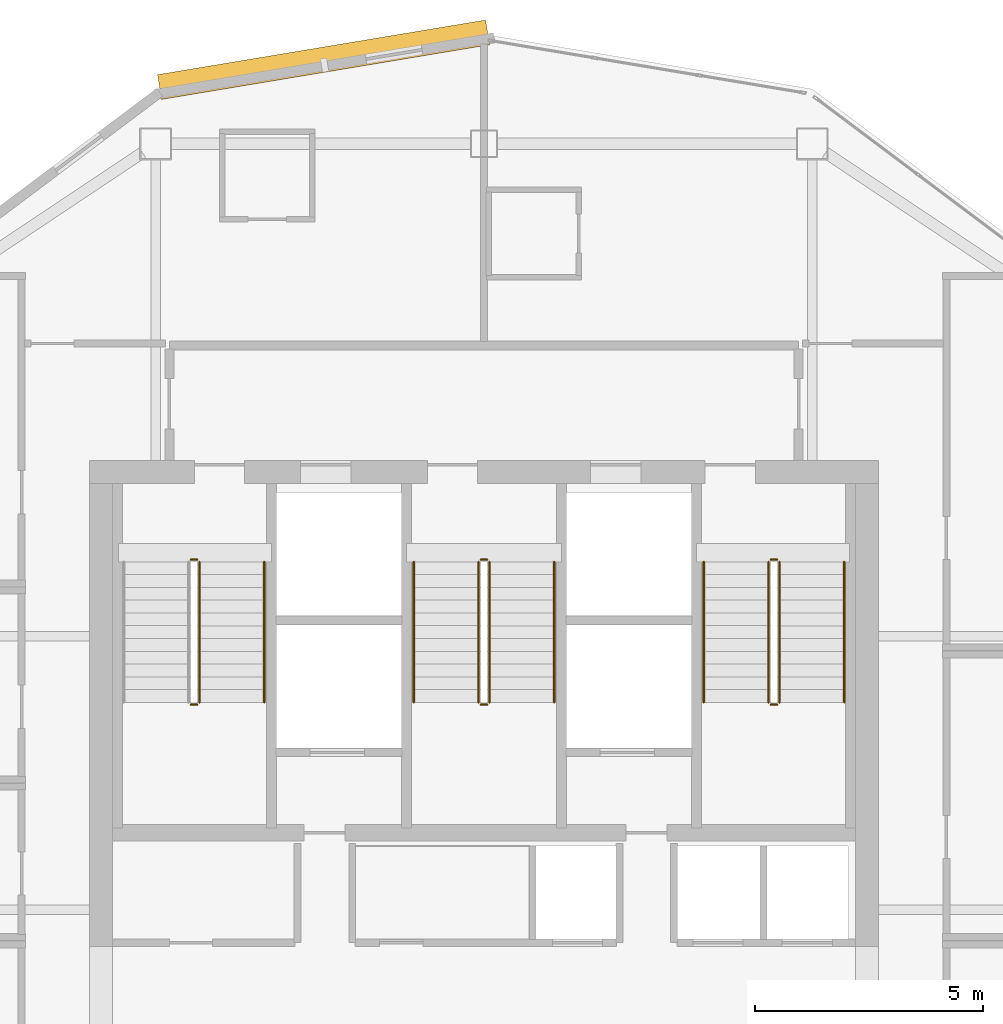
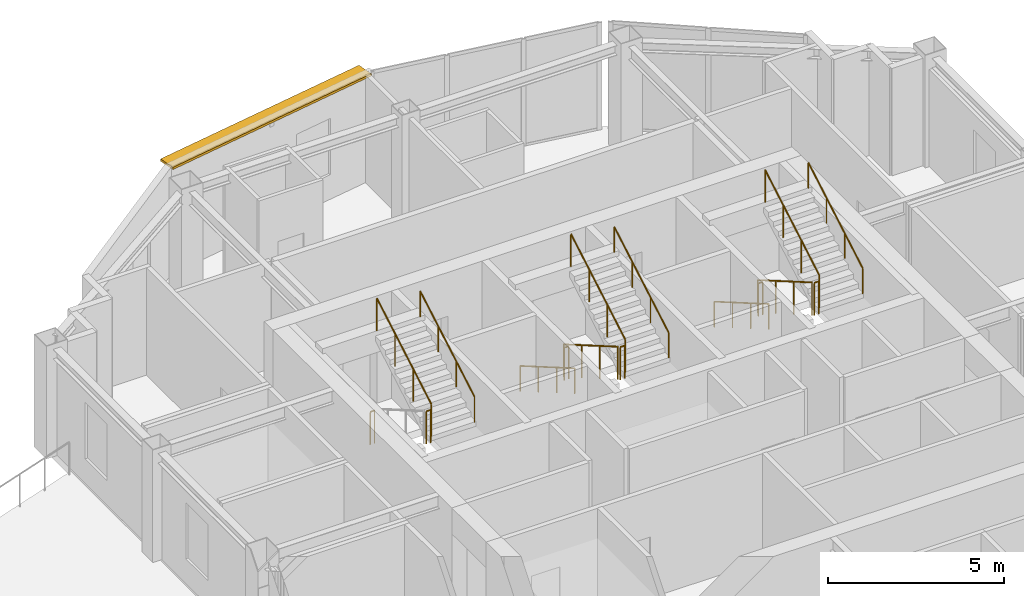
# One storey, part 12 of 12: 16 railings, 1 shading device.
"""IFC4 building model written with IfcOpenShell, lengths in metres."""

from ifc_helpers import new_model, si_unit, direction, frame, origin, origin_2d, place, context, subcontext, project, spatial, rectangle, circle, extrude, material, layer, layer_set, type_object, element, save


model = new_model("IFC4")

# Units and contexts
model_context = context("Model", 3, precision=1e-05, world=origin(), true_north=direction((0.0, 1.0)))
body_context = subcontext(model_context, "Body", "Model", "MODEL_VIEW")
ifc_project = project(units=[si_unit("LENGTHUNIT", "METRE"), si_unit("AREAUNIT", "SQUARE_METRE"), si_unit("VOLUMEUNIT", "CUBIC_METRE"), si_unit("PLANEANGLEUNIT", "RADIAN"), si_unit("MASSUNIT", "GRAM", prefix="KILO")], contexts=[model_context])

# Site, building, storey
site_placement = place(None, origin())
site = spatial("IfcSite", under=ifc_project, at=site_placement, CompositionType="ELEMENT")
building_placement = place(site_placement, origin())
building = spatial("IfcBuilding", under=site, at=building_placement, Name="Haolan Belvedere Tower", CompositionType="ELEMENT")
storey_placement = place(building_placement, frame((0.0, 0.0, 282.199951171875)))
storey = spatial("IfcBuildingStorey", under=building, at=storey_placement, Name="L71", CompositionType="ELEMENT", Elevation=282.199951171875)

# Railings
ifc_material_1 = material(Name="Brushed stainless steel 304", Category="steel")
railing_type_1 = type_object("IfcRailingType", Name="RL-STAIR-GRD-1150", PredefinedType="GUARDRAIL", material=ifc_material_1)
railing_1_placement = place(storey_placement, frame((31.969970703125, 38.10009765625, 1.949951171875)))
element("IfcRailing", 1, at=railing_1_placement, inside=storey, type_object=railing_type_1, Name="L71 ST1 stair guard 2", PredefinedType="GUARDRAIL", context=body_context, shape_type="SweptSolid", body=[
    extrude(circle(Radius=0.02392578125, at=origin_2d()), frame((0.0, 0.0, 1.1259765625), z_axis=(1.0, 0.0, 0.0), x_axis=(0.0, 1.0, 0.0)), (0.0, 0.0, 1.0), 0.14013671875),
    extrude(circle(Radius=0.02099609375, at=origin_2d()), origin(), (0.0, 0.0, 1.0), 1.101806640625),
    extrude(circle(Radius=0.02099609375, at=origin_2d()), frame((0.14013671875, 0.0, 0.0)), (0.0, 0.0, 1.0), 1.101806640625),
])
railing_2_placement = place(storey_placement, frame((32.159912109375, 38.14990234375, 2.112548828125)))
element("IfcRailing", 2, at=railing_2_placement, inside=storey, type_object=railing_type_1, Name="L71 ST1 stair guard 3", PredefinedType="GUARDRAIL", context=body_context, shape_type="SweptSolid", body=[
    extrude(circle(Radius=0.02392578125, at=origin_2d()), frame((0.0, 0.0, 1.1259765625), z_axis=(0.0, 0.864890721111, 0.501960198159), x_axis=(-1.0, 0.0, 0.0)), (0.0, 0.0, 1.0), 3.561279296875),
    extrude(circle(Radius=0.02099609375, at=origin_2d()), origin(), (0.0, 0.0, 1.0), 1.101806640625),
    extrude(circle(Radius=0.02099609375, at=origin_2d()), frame((0.0, 1.026611328125, 0.595947265625)), (0.0, 0.0, 1.0), 1.101806640625),
    extrude(circle(Radius=0.02099609375, at=origin_2d()), frame((0.0, 2.053466796875, 1.191650390625)), (0.0, 0.0, 1.0), 1.101806640625),
    extrude(circle(Radius=0.02099609375, at=origin_2d()), frame((0.0, 3.080078125, 1.78759765625)), (0.0, 0.0, 1.0), 1.101806640625),
])
railing_3_placement = place(storey_placement, frame((31.969970703125, 41.280029296875, 0.0)))
element("IfcRailing", 3, at=railing_3_placement, inside=storey, type_object=railing_type_1, Name="L71 ST1 stair guard 4", PredefinedType="GUARDRAIL", context=body_context, shape_type="SweptSolid", body=[
    extrude(circle(Radius=0.02392578125, at=origin_2d()), frame((0.0, 0.0, 1.1259765625), z_axis=(1.0, 0.0, 0.0), x_axis=(0.0, 1.0, 0.0)), (0.0, 0.0, 1.0), 0.14013671875),
    extrude(circle(Radius=0.02099609375, at=origin_2d()), origin(), (0.0, 0.0, 1.0), 1.101806640625),
    extrude(circle(Radius=0.02099609375, at=origin_2d()), frame((0.14013671875, 0.0, 0.0)), (0.0, 0.0, 1.0), 1.101806640625),
])
railing_4_placement = place(storey_placement, frame((38.280029296875, 41.22998046875, 0.16259765625)))
element("IfcRailing", 4, at=railing_4_placement, inside=storey, type_object=railing_type_1, Name="L71 ST3 stair guard 1", PredefinedType="GUARDRAIL", context=body_context, shape_type="SweptSolid", body=[
    extrude(circle(Radius=0.02392578125, at=origin_2d()), frame((0.0, 0.0, 1.1259765625), z_axis=(0.0, -0.864920483161, 0.501908913857), x_axis=(1.0, 0.0, 0.0)), (0.0, 0.0, 1.0), 3.56103515625),
    extrude(circle(Radius=0.02099609375, at=origin_2d()), origin(), (0.0, 0.0, 1.0), 1.101806640625),
    extrude(circle(Radius=0.02099609375, at=origin_2d()), frame((0.0, -1.026611328125, 0.595703125)), (0.0, 0.0, 1.0), 1.101806640625),
    extrude(circle(Radius=0.02099609375, at=origin_2d()), frame((0.0, -2.053466796875, 1.191650390625)), (0.0, 0.0, 1.0), 1.101806640625),
    extrude(circle(Radius=0.02099609375, at=origin_2d()), frame((0.0, -3.080078125, 1.787353515625)), (0.0, 0.0, 1.0), 1.101806640625),
])
railing_5_placement = place(storey_placement, frame((38.330078125, 38.10009765625, 1.949951171875)))
element("IfcRailing", 5, at=railing_5_placement, inside=storey, type_object=railing_type_1, Name="L71 ST3 stair guard 2", PredefinedType="GUARDRAIL", context=body_context, shape_type="SweptSolid", body=[
    extrude(circle(Radius=0.02392578125, at=origin_2d()), frame((0.0, 0.0, 1.1259765625), z_axis=(1.0, 0.0, 0.0), x_axis=(0.0, 1.0, 0.0)), (0.0, 0.0, 1.0), 0.139892578125),
    extrude(circle(Radius=0.02099609375, at=origin_2d()), origin(), (0.0, 0.0, 1.0), 1.101806640625),
    extrude(circle(Radius=0.02099609375, at=origin_2d()), frame((0.139892578125, 0.0, 0.0)), (0.0, 0.0, 1.0), 1.101806640625),
])
railing_6_placement = place(storey_placement, frame((38.52001953125, 38.14990234375, 2.112548828125)))
element("IfcRailing", 6, at=railing_6_placement, inside=storey, type_object=railing_type_1, Name="L71 ST3 stair guard 3", PredefinedType="GUARDRAIL", context=body_context, shape_type="SweptSolid", body=[
    extrude(circle(Radius=0.02392578125, at=origin_2d()), frame((0.0, 0.0, 1.1259765625), z_axis=(0.0, 0.864890721111, 0.501960198159), x_axis=(-1.0, 0.0, 0.0)), (0.0, 0.0, 1.0), 3.561279296875),
    extrude(circle(Radius=0.02099609375, at=origin_2d()), origin(), (0.0, 0.0, 1.0), 1.101806640625),
    extrude(circle(Radius=0.02099609375, at=origin_2d()), frame((0.0, 1.026611328125, 0.595947265625)), (0.0, 0.0, 1.0), 1.101806640625),
    extrude(circle(Radius=0.02099609375, at=origin_2d()), frame((0.0, 2.053466796875, 1.191650390625)), (0.0, 0.0, 1.0), 1.101806640625),
    extrude(circle(Radius=0.02099609375, at=origin_2d()), frame((0.0, 3.080078125, 1.78759765625)), (0.0, 0.0, 1.0), 1.101806640625),
])
railing_7_placement = place(storey_placement, frame((38.330078125, 41.280029296875, 0.0)))
element("IfcRailing", 7, at=railing_7_placement, inside=storey, type_object=railing_type_1, Name="L71 ST3 stair guard 4", PredefinedType="GUARDRAIL", context=body_context, shape_type="SweptSolid", body=[
    extrude(circle(Radius=0.02392578125, at=origin_2d()), frame((0.0, 0.0, 1.1259765625), z_axis=(1.0, 0.0, 0.0), x_axis=(0.0, 1.0, 0.0)), (0.0, 0.0, 1.0), 0.139892578125),
    extrude(circle(Radius=0.02099609375, at=origin_2d()), origin(), (0.0, 0.0, 1.0), 1.101806640625),
    extrude(circle(Radius=0.02099609375, at=origin_2d()), frame((0.139892578125, 0.0, 0.0)), (0.0, 0.0, 1.0), 1.101806640625),
])
railing_8_placement = place(storey_placement, frame((44.639892578125, 41.22998046875, 0.16259765625)))
element("IfcRailing", 8, at=railing_8_placement, inside=storey, type_object=railing_type_1, Name="L71 ST2 stair guard 1", PredefinedType="GUARDRAIL", context=body_context, shape_type="SweptSolid", body=[
    extrude(circle(Radius=0.02392578125, at=origin_2d()), frame((0.0, 0.0, 1.1259765625), z_axis=(0.0, -0.864920483161, 0.501908913857), x_axis=(1.0, 0.0, 0.0)), (0.0, 0.0, 1.0), 3.56103515625),
    extrude(circle(Radius=0.02099609375, at=origin_2d()), origin(), (0.0, 0.0, 1.0), 1.101806640625),
    extrude(circle(Radius=0.02099609375, at=origin_2d()), frame((0.0, -1.026611328125, 0.595703125)), (0.0, 0.0, 1.0), 1.101806640625),
    extrude(circle(Radius=0.02099609375, at=origin_2d()), frame((0.0, -2.053466796875, 1.191650390625)), (0.0, 0.0, 1.0), 1.101806640625),
    extrude(circle(Radius=0.02099609375, at=origin_2d()), frame((0.0, -3.080078125, 1.787353515625)), (0.0, 0.0, 1.0), 1.101806640625),
])
railing_9_placement = place(storey_placement, frame((44.68994140625, 38.10009765625, 1.949951171875)))
element("IfcRailing", 9, at=railing_9_placement, inside=storey, type_object=railing_type_1, Name="L71 ST2 stair guard 2", PredefinedType="GUARDRAIL", context=body_context, shape_type="SweptSolid", body=[
    extrude(circle(Radius=0.02392578125, at=origin_2d()), frame((0.0, 0.0, 1.1259765625), z_axis=(1.0, 0.0, 0.0), x_axis=(0.0, 1.0, 0.0)), (0.0, 0.0, 1.0), 0.14013671875),
    extrude(circle(Radius=0.02099609375, at=origin_2d()), origin(), (0.0, 0.0, 1.0), 1.101806640625),
    extrude(circle(Radius=0.02099609375, at=origin_2d()), frame((0.14013671875, 0.0, 0.0)), (0.0, 0.0, 1.0), 1.101806640625),
])
railing_10_placement = place(storey_placement, frame((44.8798828125, 38.14990234375, 2.112548828125)))
element("IfcRailing", 10, at=railing_10_placement, inside=storey, type_object=railing_type_1, Name="L71 ST2 stair guard 3", PredefinedType="GUARDRAIL", context=body_context, shape_type="SweptSolid", body=[
    extrude(circle(Radius=0.02392578125, at=origin_2d()), frame((0.0, 0.0, 1.1259765625), z_axis=(0.0, 0.864890721111, 0.501960198159), x_axis=(-1.0, 0.0, 0.0)), (0.0, 0.0, 1.0), 3.561279296875),
    extrude(circle(Radius=0.02099609375, at=origin_2d()), origin(), (0.0, 0.0, 1.0), 1.101806640625),
    extrude(circle(Radius=0.02099609375, at=origin_2d()), frame((0.0, 1.026611328125, 0.595947265625)), (0.0, 0.0, 1.0), 1.101806640625),
    extrude(circle(Radius=0.02099609375, at=origin_2d()), frame((0.0, 2.053466796875, 1.191650390625)), (0.0, 0.0, 1.0), 1.101806640625),
    extrude(circle(Radius=0.02099609375, at=origin_2d()), frame((0.0, 3.080078125, 1.78759765625)), (0.0, 0.0, 1.0), 1.101806640625),
])
railing_11_placement = place(storey_placement, frame((44.68994140625, 41.280029296875, 0.0)))
element("IfcRailing", 11, at=railing_11_placement, inside=storey, type_object=railing_type_1, Name="L71 ST2 stair guard 4", PredefinedType="GUARDRAIL", context=body_context, shape_type="SweptSolid", body=[
    extrude(circle(Radius=0.02392578125, at=origin_2d()), frame((0.0, 0.0, 1.1259765625), z_axis=(1.0, 0.0, 0.0), x_axis=(0.0, 1.0, 0.0)), (0.0, 0.0, 1.0), 0.14013671875),
    extrude(circle(Radius=0.02099609375, at=origin_2d()), origin(), (0.0, 0.0, 1.0), 1.101806640625),
    extrude(circle(Radius=0.02099609375, at=origin_2d()), frame((0.14013671875, 0.0, 0.0)), (0.0, 0.0, 1.0), 1.101806640625),
])
railing_type_2 = type_object("IfcRailingType", Name="RL-STAIR-HND-900", PredefinedType="HANDRAIL", material=ifc_material_1)
railing_12_placement = place(storey_placement, frame((33.580078125, 38.14990234375, 2.112548828125)))
element("IfcRailing", 12, at=railing_12_placement, inside=storey, type_object=railing_type_2, Name="L71 ST1 stair handrail 2", PredefinedType="HANDRAIL", context=body_context, shape_type="SweptSolid", body=[
    extrude(circle(Radius=0.02392578125, at=origin_2d()), frame((0.0, 0.0, 0.8759765625), z_axis=(0.0, 0.864890721111, 0.501960198159), x_axis=(-1.0, 0.0, 0.0)), (0.0, 0.0, 1.0), 3.561279296875),
    extrude(circle(Radius=0.02099609375, at=origin_2d()), origin(), (0.0, 0.0, 1.0), 0.851806640625),
    extrude(circle(Radius=0.02099609375, at=origin_2d()), frame((0.0, 1.026611328125, 0.595947265625)), (0.0, 0.0, 1.0), 0.851806640625),
    extrude(circle(Radius=0.02099609375, at=origin_2d()), frame((0.0, 2.053466796875, 1.191650390625)), (0.0, 0.0, 1.0), 0.851806640625),
    extrude(circle(Radius=0.02099609375, at=origin_2d()), frame((0.0, 3.080078125, 1.78759765625)), (0.0, 0.0, 1.0), 0.851806640625),
])
railing_13_placement = place(storey_placement, frame((36.860107421875, 41.22998046875, 0.16259765625)))
element("IfcRailing", 13, at=railing_13_placement, inside=storey, type_object=railing_type_2, Name="L71 ST3 stair handrail 1", PredefinedType="HANDRAIL", context=body_context, shape_type="SweptSolid", body=[
    extrude(circle(Radius=0.02392578125, at=origin_2d()), frame((0.0, 0.0, 0.8759765625), z_axis=(0.0, -0.864920483161, 0.501908913857), x_axis=(1.0, 0.0, 0.0)), (0.0, 0.0, 1.0), 3.56103515625),
    extrude(circle(Radius=0.02099609375, at=origin_2d()), origin(), (0.0, 0.0, 1.0), 0.851806640625),
    extrude(circle(Radius=0.02099609375, at=origin_2d()), frame((0.0, -1.026611328125, 0.595703125)), (0.0, 0.0, 1.0), 0.851806640625),
    extrude(circle(Radius=0.02099609375, at=origin_2d()), frame((0.0, -2.053466796875, 1.191650390625)), (0.0, 0.0, 1.0), 0.851806640625),
    extrude(circle(Radius=0.02099609375, at=origin_2d()), frame((0.0, -3.080078125, 1.787353515625)), (0.0, 0.0, 1.0), 0.851806640625),
])
railing_14_placement = place(storey_placement, frame((39.93994140625, 38.14990234375, 2.112548828125)))
element("IfcRailing", 14, at=railing_14_placement, inside=storey, type_object=railing_type_2, Name="L71 ST3 stair handrail 2", PredefinedType="HANDRAIL", context=body_context, shape_type="SweptSolid", body=[
    extrude(circle(Radius=0.02392578125, at=origin_2d()), frame((0.0, 0.0, 0.8759765625), z_axis=(0.0, 0.864890721111, 0.501960198159), x_axis=(-1.0, 0.0, 0.0)), (0.0, 0.0, 1.0), 3.561279296875),
    extrude(circle(Radius=0.02099609375, at=origin_2d()), origin(), (0.0, 0.0, 1.0), 0.851806640625),
    extrude(circle(Radius=0.02099609375, at=origin_2d()), frame((0.0, 1.026611328125, 0.595947265625)), (0.0, 0.0, 1.0), 0.851806640625),
    extrude(circle(Radius=0.02099609375, at=origin_2d()), frame((0.0, 2.053466796875, 1.191650390625)), (0.0, 0.0, 1.0), 0.851806640625),
    extrude(circle(Radius=0.02099609375, at=origin_2d()), frame((0.0, 3.080078125, 1.78759765625)), (0.0, 0.0, 1.0), 0.851806640625),
])
railing_15_placement = place(storey_placement, frame((43.219970703125, 41.22998046875, 0.16259765625)))
element("IfcRailing", 15, at=railing_15_placement, inside=storey, type_object=railing_type_2, Name="L71 ST2 stair handrail 1", PredefinedType="HANDRAIL", context=body_context, shape_type="SweptSolid", body=[
    extrude(circle(Radius=0.02392578125, at=origin_2d()), frame((0.0, 0.0, 0.8759765625), z_axis=(0.0, -0.864920483161, 0.501908913857), x_axis=(1.0, 0.0, 0.0)), (0.0, 0.0, 1.0), 3.56103515625),
    extrude(circle(Radius=0.02099609375, at=origin_2d()), origin(), (0.0, 0.0, 1.0), 0.851806640625),
    extrude(circle(Radius=0.02099609375, at=origin_2d()), frame((0.0, -1.026611328125, 0.595703125)), (0.0, 0.0, 1.0), 0.851806640625),
    extrude(circle(Radius=0.02099609375, at=origin_2d()), frame((0.0, -2.053466796875, 1.191650390625)), (0.0, 0.0, 1.0), 0.851806640625),
    extrude(circle(Radius=0.02099609375, at=origin_2d()), frame((0.0, -3.080078125, 1.787353515625)), (0.0, 0.0, 1.0), 0.851806640625),
])
railing_16_placement = place(storey_placement, frame((46.300048828125, 38.14990234375, 2.112548828125)))
element("IfcRailing", 16, at=railing_16_placement, inside=storey, type_object=railing_type_2, Name="L71 ST2 stair handrail 2", PredefinedType="HANDRAIL", context=body_context, shape_type="SweptSolid", body=[
    extrude(circle(Radius=0.02392578125, at=origin_2d()), frame((0.0, 0.0, 0.8759765625), z_axis=(0.0, 0.864890721111, 0.501960198159), x_axis=(-1.0, 0.0, 0.0)), (0.0, 0.0, 1.0), 3.561279296875),
    extrude(circle(Radius=0.02099609375, at=origin_2d()), origin(), (0.0, 0.0, 1.0), 0.851806640625),
    extrude(circle(Radius=0.02099609375, at=origin_2d()), frame((0.0, 1.026611328125, 0.595947265625)), (0.0, 0.0, 1.0), 0.851806640625),
    extrude(circle(Radius=0.02099609375, at=origin_2d()), frame((0.0, 2.053466796875, 1.191650390625)), (0.0, 0.0, 1.0), 0.851806640625),
    extrude(circle(Radius=0.02099609375, at=origin_2d()), frame((0.0, 3.080078125, 1.78759765625)), (0.0, 0.0, 1.0), 0.851806640625),
])

# Shading device
ifc_material_2 = material(Name="Anodised champagne-silver aluminium 6063-T6", Category="aluminium")
ifc_layer = layer(ifc_material_2, 0.080078125, Name="Anodised champagne-silver aluminium 6063-T6")
ifc_layer_set = layer_set([ifc_layer], Name="Anodised champagne-silver aluminium 6063-T6")
shading_device_type = type_object("IfcShadingDeviceType", Name="SHD-SUN-550", PredefinedType="USERDEFINED", material=ifc_layer_set)
shading_device_placement = place(storey_placement, frame((34.883056640625, 52.244384765625, 3.6201171875), z_axis=(0.0, 0.0, 1.0), x_axis=(-0.986394848329, -0.164393440227, 0.0)))
element("IfcShadingDevice", 17, at=shading_device_placement, inside=storey, type_object=shading_device_type, Name="L71 pale-metal horizontal SUNSHADE band 10.1", ObjectType="SUNSHADE", PredefinedType="USERDEFINED", context=body_context, shape_type="SweptSolid", body=[
    extrude(rectangle(XDim=7.294189453125, YDim=0.550048828125, at=origin_2d()), origin(), (0.0, 0.0, 1.0), 0.080078125),
])

save(model, "model.ifc")
